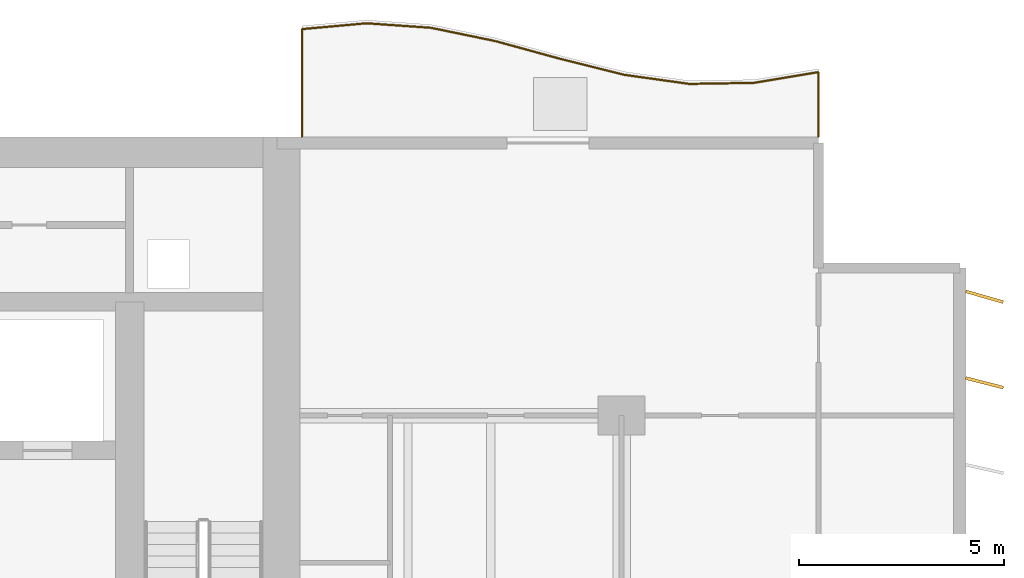
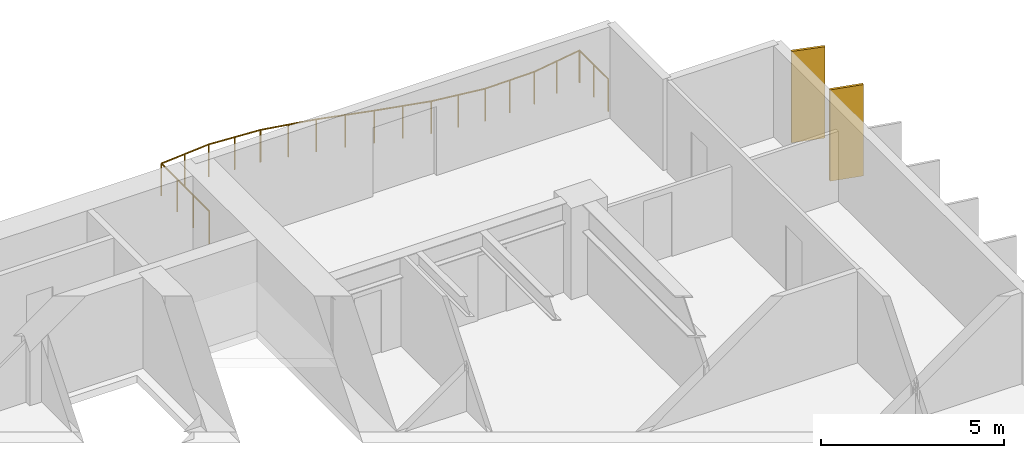
# One storey, part 17 of 17: 2 shading devices, 1 railing.
"""IFC4 building model written with IfcOpenShell, lengths in metres."""

from ifc_helpers import new_model, si_unit, direction, frame, origin, origin_2d, place, context, subcontext, project, spatial, rectangle, circle, extrude, material, material_profile, profile_set, type_object, element, save


model = new_model("IFC4")

# Units and contexts
model_context = context("Model", 3, precision=1e-05, world=origin(), true_north=direction((0.0, 1.0)))
body_context = subcontext(model_context, "Body", "Model", "MODEL_VIEW")
ifc_project = project(units=[si_unit("LENGTHUNIT", "METRE"), si_unit("AREAUNIT", "SQUARE_METRE"), si_unit("VOLUMEUNIT", "CUBIC_METRE"), si_unit("PLANEANGLEUNIT", "RADIAN"), si_unit("MASSUNIT", "GRAM", prefix="KILO")], contexts=[model_context])

# Site, building, storey
site_placement = place(None, origin())
site = spatial("IfcSite", under=ifc_project, at=site_placement, CompositionType="ELEMENT")
building_placement = place(site_placement, origin())
building = spatial("IfcBuilding", under=site, at=building_placement, Name="Caelmar Bay Residences", CompositionType="ELEMENT")
storey_placement = place(building_placement, frame((0.0, 0.0, 59.699951171875)))
storey = spatial("IfcBuildingStorey", under=building, at=storey_placement, Name="L15", CompositionType="ELEMENT", Elevation=59.699951171875)

# Railing
ifc_material_1 = material(Name="Anodised bronze handrail with laminated hurricane glass infill", Category="glass")
railing_type = type_object("IfcRailingType", Name="RL-BAL-1100", PredefinedType="BALUSTRADE", material=ifc_material_1)
railing_placement = place(storey_placement, frame((72.699951171875, 50.60009765625, 0.0)))
element("IfcRailing", 1, at=railing_placement, inside=storey, type_object=railing_type, Name="L15 north_east Balcony Balustrade", PredefinedType="BALUSTRADE", context=body_context, shape_type="SweptSolid", body=[
    extrude(circle(Radius=0.02392578125, at=origin_2d()), frame((0.0, 0.0, 1.076171875), z_axis=(0.0, 1.0, 0.0), x_axis=(-1.0, 0.0, 0.0)), (0.0, 0.0, 1.0), 1.5791015625),
    extrude(circle(Radius=0.02392578125, at=origin_2d()), frame((0.0, 1.5791015625, 1.076171875), z_axis=(-0.986373253557, -0.16452296091, 0.0), x_axis=(0.16452296091, -0.986373253557, 0.0)), (0.0, 0.0, 1.0), 1.5966796875),
    extrude(circle(Radius=0.02392578125, at=origin_2d()), frame((-1.574951171875, 1.31640625, 1.076171875), z_axis=(-0.999865029232, -0.016429343218, 0.0), x_axis=(0.016429343218, -0.999865029232, 0.0)), (0.0, 0.0, 1.0), 1.5751953125),
    extrude(circle(Radius=0.02392578125, at=origin_2d()), frame((-3.14990234375, 1.29052734375, 1.076171875), z_axis=(-0.990365762787, 0.138476192534, 0.0), x_axis=(-0.138476192534, -0.990365762787, 0.0)), (0.0, 0.0, 1.0), 1.59033203125),
    extrude(circle(Radius=0.02392578125, at=origin_2d()), frame((-4.724853515625, 1.5107421875, 1.076171875), z_axis=(-0.970424957925, 0.241402984729, 0.0), x_axis=(-0.241402984729, -0.970424957925, 0.0)), (0.0, 0.0, 1.0), 1.623291015625),
    extrude(circle(Radius=0.02392578125, at=origin_2d()), frame((-6.300048828125, 1.902587890625, 1.076171875), z_axis=(-0.964473421299, 0.264179900083, 0.0), x_axis=(-0.264179900083, -0.964473421299, 0.0)), (0.0, 0.0, 1.0), 1.633056640625),
    extrude(circle(Radius=0.02392578125, at=origin_2d()), frame((-7.875, 2.333984375, 1.076171875), z_axis=(-0.97931127967, 0.202359624213, 0.0), x_axis=(-0.202359624213, -0.97931127967, 0.0)), (0.0, 0.0, 1.0), 1.608154296875),
    extrude(circle(Radius=0.02392578125, at=origin_2d()), frame((-9.449951171875, 2.659423828125, 1.076171875), z_axis=(-0.997575849837, 0.069587526341, 0.0), x_axis=(-0.069587526341, -0.997575849837, 0.0)), (0.0, 0.0, 1.0), 1.578857421875),
    extrude(circle(Radius=0.02392578125, at=origin_2d()), frame((-11.02490234375, 2.769287109375, 1.076171875), z_axis=(-0.995927302368, -0.090159904601, 0.0), x_axis=(0.090159904601, -0.995927302368, 0.0)), (0.0, 0.0, 1.0), 1.581298828125),
    extrude(circle(Radius=0.02392578125, at=origin_2d()), frame((-12.599853515625, 2.626708984375, 1.076171875), z_axis=(0.0, -1.0, 0.0), x_axis=(1.0, 0.0, 0.0)), (0.0, 0.0, 1.0), 2.626708984375),
    extrude(circle(Radius=0.02099609375, at=origin_2d()), origin(), (0.0, 0.0, 1.0), 1.052001953125),
    extrude(circle(Radius=0.02099609375, at=origin_2d()), frame((0.0, 0.78955078125, 0.0)), (0.0, 0.0, 1.0), 1.052001953125),
    extrude(circle(Radius=0.02099609375, at=origin_2d()), frame((0.0, 1.5791015625, 0.0)), (0.0, 0.0, 1.0), 1.052001953125),
    extrude(circle(Radius=0.02099609375, at=origin_2d()), frame((-0.78759765625, 1.44775390625, 0.0)), (0.0, 0.0, 1.0), 1.052001953125),
    extrude(circle(Radius=0.02099609375, at=origin_2d()), frame((-1.574951171875, 1.31640625, 0.0)), (0.0, 0.0, 1.0), 1.052001953125),
    extrude(circle(Radius=0.02099609375, at=origin_2d()), frame((-2.3623046875, 1.303466796875, 0.0)), (0.0, 0.0, 1.0), 1.052001953125),
    extrude(circle(Radius=0.02099609375, at=origin_2d()), frame((-3.14990234375, 1.29052734375, 0.0)), (0.0, 0.0, 1.0), 1.052001953125),
    extrude(circle(Radius=0.02099609375, at=origin_2d()), frame((-3.9375, 1.400634765625, 0.0)), (0.0, 0.0, 1.0), 1.052001953125),
    extrude(circle(Radius=0.02099609375, at=origin_2d()), frame((-4.724853515625, 1.5107421875, 0.0)), (0.0, 0.0, 1.0), 1.052001953125),
    extrude(circle(Radius=0.02099609375, at=origin_2d()), frame((-5.512451171875, 1.70654296875, 0.0)), (0.0, 0.0, 1.0), 1.052001953125),
    extrude(circle(Radius=0.02099609375, at=origin_2d()), frame((-6.300048828125, 1.902587890625, 0.0)), (0.0, 0.0, 1.0), 1.052001953125),
    extrude(circle(Radius=0.02099609375, at=origin_2d()), frame((-7.08740234375, 2.1181640625, 0.0)), (0.0, 0.0, 1.0), 1.052001953125),
    extrude(circle(Radius=0.02099609375, at=origin_2d()), frame((-7.875, 2.333984375, 0.0)), (0.0, 0.0, 1.0), 1.052001953125),
    extrude(circle(Radius=0.02099609375, at=origin_2d()), frame((-8.66259765625, 2.49658203125, 0.0)), (0.0, 0.0, 1.0), 1.052001953125),
    extrude(circle(Radius=0.02099609375, at=origin_2d()), frame((-9.449951171875, 2.659423828125, 0.0)), (0.0, 0.0, 1.0), 1.052001953125),
    extrude(circle(Radius=0.02099609375, at=origin_2d()), frame((-10.2373046875, 2.71435546875, 0.0)), (0.0, 0.0, 1.0), 1.052001953125),
    extrude(circle(Radius=0.02099609375, at=origin_2d()), frame((-11.02490234375, 2.769287109375, 0.0)), (0.0, 0.0, 1.0), 1.052001953125),
    extrude(circle(Radius=0.02099609375, at=origin_2d()), frame((-11.8125, 2.697998046875, 0.0)), (0.0, 0.0, 1.0), 1.052001953125),
    extrude(circle(Radius=0.02099609375, at=origin_2d()), frame((-12.599853515625, 2.626708984375, 0.0)), (0.0, 0.0, 1.0), 1.052001953125),
    extrude(circle(Radius=0.02099609375, at=origin_2d()), frame((-12.599853515625, 1.751220703125, 0.0)), (0.0, 0.0, 1.0), 1.052001953125),
    extrude(circle(Radius=0.02099609375, at=origin_2d()), frame((-12.599853515625, 0.87548828125, 0.0)), (0.0, 0.0, 1.0), 1.052001953125),
    extrude(circle(Radius=0.02099609375, at=origin_2d()), frame((-12.599853515625, 0.0, 0.0)), (0.0, 0.0, 1.0), 1.052001953125),
])

# Shading devices
ifc_material_2 = material(Name="Anodised architectural bronze aluminium 6063-T6", Category="aluminium")
ifc_material_profile = material_profile(ifc_material_2, rectangle(XDim=0.074951171875, YDim=0.949951171875, at=origin_2d()), Name="BRONZE-FIN-75X950")
ifc_profile_set = profile_set([ifc_material_profile], Name="Anodised architectural bronze aluminium 6063-T6")
shading_device_type = type_object("IfcShadingDeviceType", Name="SHD-FIN-950", PredefinedType="USERDEFINED", material=ifc_profile_set)
for number, where, z_axis, x_axis, name in (
    (2, (76.75, 44.60009765625, 0.0), (0.0, 0.0, 1.0), (0.247337247968, 0.968929453452, 0.0), "L15 East Bronze Solar Fin 19"),
    (3, (76.75, 46.699951171875, 0.0), (0.0, 0.0, 1.0), (0.275637355817, 0.961261695938, 0.0), "L15 East Bronze Solar Fin 20"),
):
    element("IfcShadingDevice", number, at=place(storey_placement, frame(where, z_axis=z_axis, x_axis=x_axis)), inside=storey, type_object=shading_device_type, Name=name, ObjectType="FIN", PredefinedType="USERDEFINED", context=body_context, shape_type="SweptSolid", body=[
        extrude(rectangle(XDim=0.074951171875, YDim=0.949951171875, at=origin_2d()), origin(), (0.0, 0.0, 1.0), 3.050048828125),
    ])

save(model, "model.ifc")
